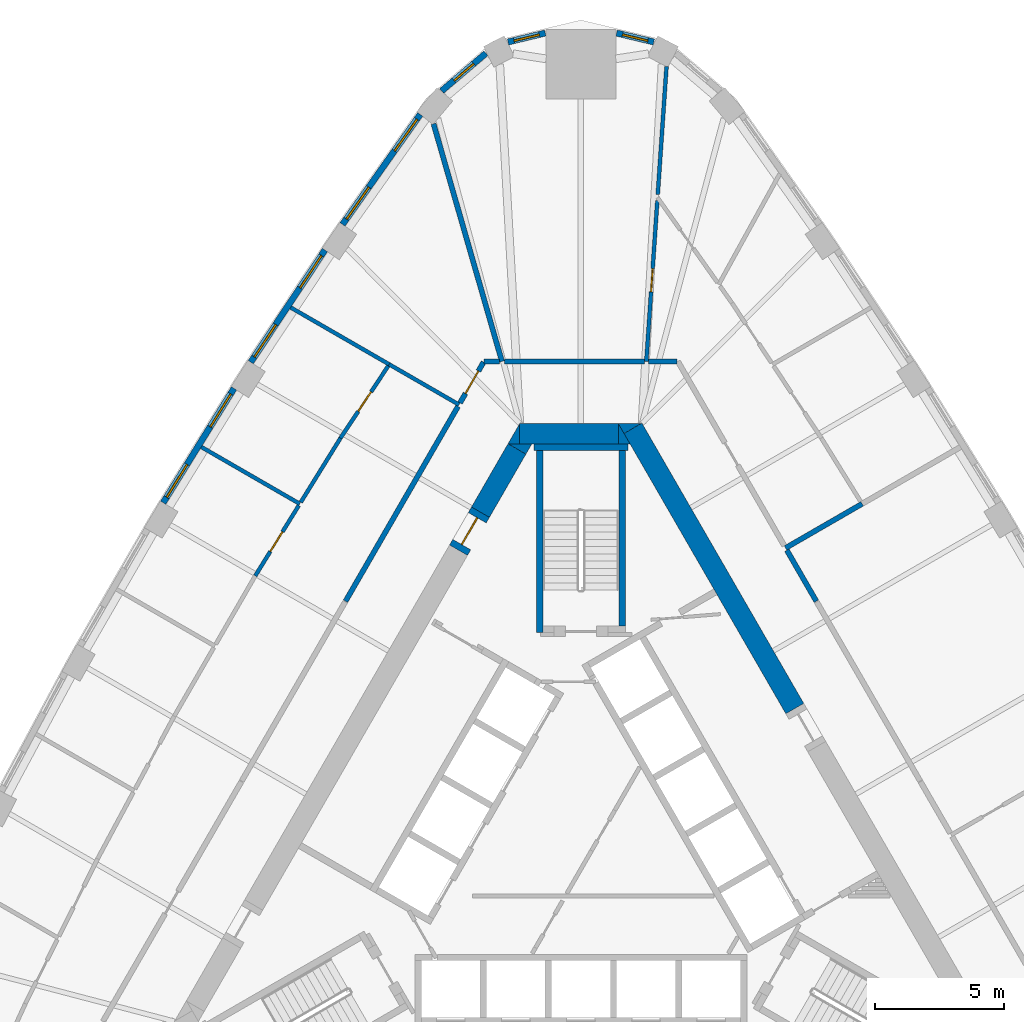
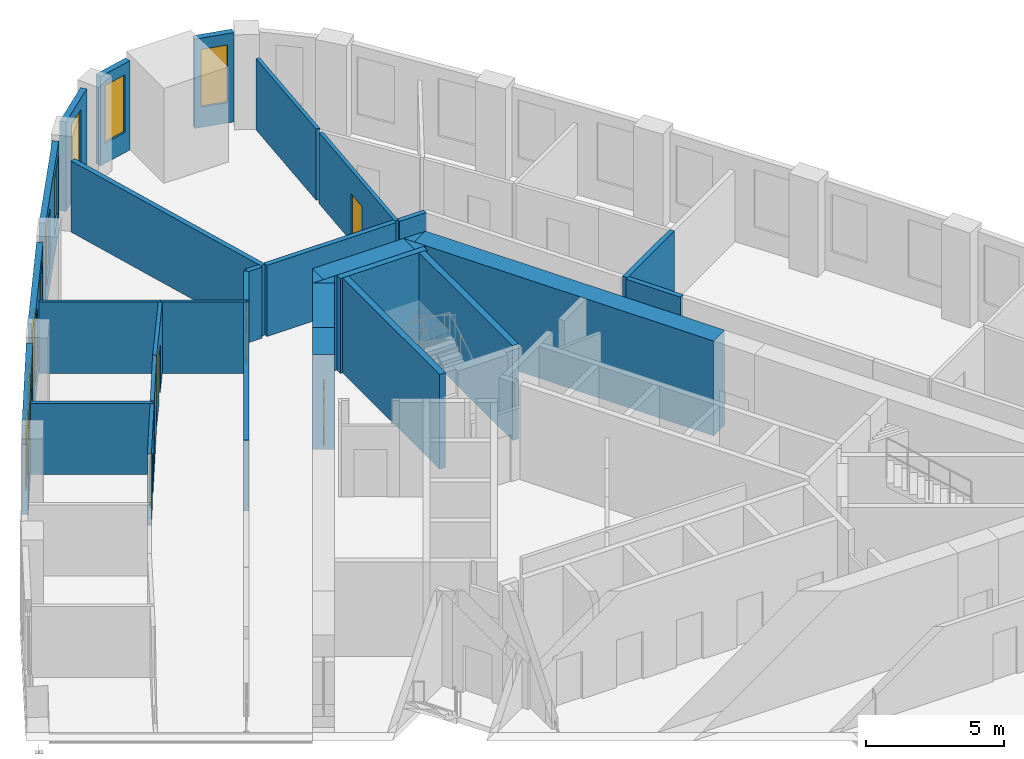
# One storey, part 9 of 11: 33 walls, 9 windows, 5 doors, 14 openings.
"""IFC4 building model written with IfcOpenShell, lengths in metres."""

from ifc_helpers import new_model, si_unit, direction, frame, frame_2d, origin, place, context, subcontext, project, spatial, polyline, rectangle, outline, extrude, material, layer, layer_set, type_object, element, fill, save


model = new_model("IFC4")

# Units and contexts
model_context = context("Model", 3, precision=1e-05, world=origin(), true_north=direction((0.0, 1.0)))
body_context = subcontext(model_context, "Body", "Model", "MODEL_VIEW")
ifc_project = project(units=[si_unit("LENGTHUNIT", "METRE"), si_unit("AREAUNIT", "SQUARE_METRE"), si_unit("VOLUMEUNIT", "CUBIC_METRE"), si_unit("PLANEANGLEUNIT", "RADIAN"), si_unit("MASSUNIT", "GRAM", prefix="KILO")], contexts=[model_context])

# Site, building, storey
site_placement = place(None, origin())
site = spatial("IfcSite", under=ifc_project, at=site_placement, CompositionType="ELEMENT")
building_placement = place(site_placement, origin())
building = spatial("IfcBuilding", under=site, at=building_placement, Name="Mestral Congress Tower", CompositionType="ELEMENT")
storey_placement = place(building_placement, frame((0.0, 0.0, 166.800048828125)))
storey = spatial("IfcBuildingStorey", under=building, at=storey_placement, Name="L39", CompositionType="ELEMENT", Elevation=166.800048828125)

# Walls
ifc_material_1 = material(Name="Concrete C60/75", Category="concrete")
ifc_layer_1 = layer(ifc_material_1, 0.800048828125)
ifc_layer_set_1 = layer_set([ifc_layer_1], Name="Concrete C60/75")
wall_type_1 = type_object("IfcWallType", Name="Core wall RC 800", PredefinedType="SOLIDWALL", material=ifc_layer_set_1)
wall_1_placement = place(storey_placement, frame((8.278564453125, 5.76123046875, 0.0), z_axis=(0.0, 0.0, 1.0), x_axis=(-0.500010359015, 0.866019422922, 0.0)))
element("IfcWall", 1, at=wall_1_placement, inside=storey, type_object=wall_type_1, Name="L39 core wall", PredefinedType="SOLIDWALL", context=body_context, shape_type="SweptSolid", body=[
    extrude(rectangle(XDim=12.527587890625, YDim=0.800048828125, at=frame_2d((6.263671875, 0.0))), origin(), (0.0, 0.0, 1.0), 4.199951171875),
])
placement = place(storey_placement, origin())
element("IfcWall", 2, at=placement, inside=storey, type_object=wall_type_1, Name="L39 core wall", PredefinedType="SOLIDWALL", context=body_context, shape_type="SweptSolid", body=[
    extrude(outline(polyline([(1.443359375, 16.800048828125), (2.33935546875, 16.800048828125), (1.667236328125, 16.412109375), (1.443359375, 16.800048828125)])), origin(), (0.0, 0.0, 1.0), 4.199951171875),
])
wall_3_placement = place(storey_placement, frame((-2.37890625, 16.39990234375, 0.0), z_axis=(0.0, 0.0, 1.0), x_axis=(1.0, 0.0, 0.0)))
element("IfcWall", 3, at=wall_3_placement, inside=storey, type_object=wall_type_1, Name="L39 core wall", PredefinedType="SOLIDWALL", context=body_context, shape_type="SweptSolid", body=[
    extrude(rectangle(XDim=3.82421875, YDim=0.800048828125, at=frame_2d((1.912109375, 0.0))), origin(), (0.0, 0.0, 1.0), 4.199951171875),
])
element("IfcWall", 4, at=placement, inside=storey, type_object=wall_type_1, Name="L39 core wall", PredefinedType="SOLIDWALL", context=body_context, shape_type="SweptSolid", body=[
    extrude(outline(polyline([(1.9052734375, 16.0), (1.447265625, 16.0), (1.447265625, 16.793212890625), (1.9052734375, 16.0)])), origin(), (0.0, 0.0, 1.0), 4.199951171875),
])
element("IfcWall", 5, at=placement, inside=storey, type_object=wall_type_1, Name="L39 core wall", PredefinedType="SOLIDWALL", context=body_context, shape_type="SweptSolid", body=[
    extrude(outline(polyline([(-2.8291015625, 16.0), (-2.381103515625, 16.77587890625), (-2.381103515625, 16.0), (-2.8291015625, 16.0)])), origin(), (0.0, 0.0, 1.0), 4.199951171875),
])
wall_6_placement = place(storey_placement, frame((-2.476806640625, 15.810302734375, 0.0), z_axis=(0.0, 0.0, 1.0), x_axis=(-0.499969377405, -0.866043083026, 0.0)))
element("IfcWall", 6, at=wall_6_placement, inside=storey, type_object=wall_type_1, Name="L39 core wall", PredefinedType="SOLIDWALL", context=body_context, shape_type="SweptSolid", body=[
    extrude(rectangle(XDim=2.824462890625, YDim=0.800048828125, at=frame_2d((1.412109375, 0.0))), origin(), (0.0, 0.0, 1.0), 4.199951171875),
])
element("IfcWall", 7, at=placement, inside=storey, type_object=wall_type_1, Name="L39 core wall", PredefinedType="SOLIDWALL", context=body_context, shape_type="SweptSolid", body=[
    extrude(outline(polyline([(-1.9052734375, 16.0), (-2.12939453125, 15.612060546875), (-2.80126953125, 16.0), (-1.9052734375, 16.0)])), origin(), (0.0, 0.0, 1.0), 4.199951171875),
])

# Wall, opening, door
wall_8_placement = place(storey_placement, frame((-4.739013671875, 11.89208984375, 0.0), z_axis=(0.0, 0.0, 1.0), x_axis=(0.500062241894, 0.865989465428, 0.0)))
wall_8 = element("IfcWall", 8, at=wall_8_placement, inside=storey, type_object=wall_type_1, Name="L39 door wall", PredefinedType="SOLIDWALL", context=body_context, shape_type="SweptSolid", body=[
    extrude(rectangle(XDim=1.699951171875, YDim=0.800048828125, at=frame_2d((0.85009765625, 0.0))), origin(), (0.0, 0.0, 1.0), 4.199951171875),
])
opening_1_placement = place(wall_8_placement, frame((0.25, 0.0, 0.0)))
opening_1 = element("IfcOpeningElement", 9, at=opening_1_placement, cuts=wall_8, Name="Opening XD2", PredefinedType="OPENING", context=body_context, shape_type="SweptSolid", body=[
    extrude(rectangle(XDim=1.199951171875, YDim=2.10009765625, at=frame_2d((0.60009765625, 1.050048828125))), frame((0.0, 0.409912109375, 0.0), z_axis=(0.0, -1.0, 0.0), x_axis=(1.0, 0.0, 0.0)), (0.0, 0.0, 1.0), 0.820068359375),
])
ifc_material_2 = material(Name="Fire-rated steel door set", Category="steel")
door_type_1 = type_object("IfcDoorType", Name="Core door XD 1200x2100", OperationType="SINGLE_SWING_LEFT", PredefinedType="DOOR", material=ifc_material_2)
door_1_placement = place(opening_1_placement, origin())
door_1 = element("IfcDoor", 10, at=door_1_placement, inside=storey, type_object=door_type_1, Name="Door XD2", OperationType="SINGLE_SWING_LEFT", OverallHeight=2.10009765625, OverallWidth=1.199951171875, PredefinedType="DOOR", context=body_context, shape_type="SweptSolid", body=[
    extrude(rectangle(XDim=1.199951171875, YDim=2.10009765625, at=frame_2d((0.60009765625, 1.050048828125))), frame((0.0, 0.02490234375, 0.0), z_axis=(0.0, -1.0, 0.0), x_axis=(1.0, 0.0, 0.0)), (0.0, 0.0, 1.0), 0.050048828125),
])
fill(opening_1, door_1)

# Wall, opening, window
ifc_material_3 = material(Name="Precast concrete C40/50 with limestone facing", Category="masonry")
ifc_layer_2 = layer(ifc_material_3, 0.239990234375)
ifc_layer_set_2 = layer_set([ifc_layer_2], Name="Precast concrete C40/50 with limestone facing")
wall_type_2 = type_object("IfcWallType", Name="Facade stone wall 240", PredefinedType="SOLIDWALL", material=ifc_layer_set_2)
wall_9_placement = place(storey_placement, frame((2.821044921875, 31.56640625, 0.0), z_axis=(0.0, 0.0, 1.0), x_axis=(-0.972479955788, 0.232986556673, 0.0)))
wall_9 = element("IfcWall", 11, at=wall_9_placement, inside=storey, type_object=wall_type_2, Name="Facade wall K1-1", PredefinedType="SOLIDWALL", context=body_context, shape_type="SweptSolid", body=[
    extrude(rectangle(XDim=1.481689453125, YDim=0.239990234375, at=frame_2d((0.74072265625, 0.0))), origin(), (0.0, 0.0, 1.0), 3.949951171875),
])
opening_2_placement = place(wall_9_placement, frame((0.24072265625, 0.0, 0.89990234375)))
opening_2 = element("IfcOpeningElement", 12, at=opening_2_placement, cuts=wall_9, Name="Opening W5", PredefinedType="OPENING", context=body_context, shape_type="SweptSolid", body=[
    extrude(rectangle(XDim=1.0, YDim=2.550048828125, at=frame_2d((0.5, 1.27490234375))), frame((0.0, 0.1298828125, 0.0), z_axis=(0.0, -1.0, 0.0), x_axis=(1.0, 0.0, 0.0)), (0.0, 0.0, 1.0), 0.260009765625),
])
ifc_material_4 = material(Name="Clear low-emissivity double glazing", Category="glass")
window_type_1 = type_object("IfcWindowType", Name="Facade punched window 1000 x 2550 sill 900", PartitioningType="SINGLE_PANEL", PredefinedType="WINDOW", material=ifc_material_4)
window_1_placement = place(opening_2_placement, origin())
window_1 = element("IfcWindow", 13, at=window_1_placement, inside=storey, type_object=window_type_1, Name="Window K1-1", OverallHeight=2.550048828125, OverallWidth=1.0, PartitioningType="SINGLE_PANEL", PredefinedType="WINDOW", context=body_context, shape_type="SweptSolid", body=[
    extrude(rectangle(XDim=1.0, YDim=2.550048828125, at=frame_2d((0.5, 1.27490234375))), frame((0.0, 0.0400390625, 0.0), z_axis=(0.0, -1.0, 0.0), x_axis=(1.0, 0.0, 0.0)), (0.0, 0.0, 1.0), 0.06005859375),
])
fill(opening_2, window_1)

wall_10_placement = place(storey_placement, frame((-1.380126953125, 31.91162109375, 0.0), z_axis=(0.0, 0.0, 1.0), x_axis=(-0.972479955788, -0.232986556673, 0.0)))
wall_10 = element("IfcWall", 14, at=wall_10_placement, inside=storey, type_object=wall_type_2, Name="Facade wall K1-2", PredefinedType="SOLIDWALL", context=body_context, shape_type="SweptSolid", body=[
    extrude(rectangle(XDim=1.481689453125, YDim=0.239990234375, at=frame_2d((0.74072265625, 0.0))), origin(), (0.0, 0.0, 1.0), 3.949951171875),
])
opening_3_placement = place(wall_10_placement, frame((0.24072265625, 0.0, 0.89990234375)))
opening_3 = element("IfcOpeningElement", 15, at=opening_3_placement, cuts=wall_10, Name="Opening W5", PredefinedType="OPENING", context=body_context, shape_type="SweptSolid", body=[
    extrude(rectangle(XDim=1.0, YDim=2.550048828125, at=frame_2d((0.5, 1.27490234375))), frame((0.0, 0.1298828125, 0.0), z_axis=(0.0, -1.0, 0.0), x_axis=(1.0, 0.0, 0.0)), (0.0, 0.0, 1.0), 0.260009765625),
])
window_2_placement = place(opening_3_placement, origin())
window_2 = element("IfcWindow", 16, at=window_2_placement, inside=storey, type_object=window_type_1, Name="Window K1-2", OverallHeight=2.550048828125, OverallWidth=1.0, PartitioningType="SINGLE_PANEL", PredefinedType="WINDOW", context=body_context, shape_type="SweptSolid", body=[
    extrude(rectangle(XDim=1.0, YDim=2.550048828125, at=frame_2d((0.5, 1.27490234375))), frame((0.0, 0.0400390625, 0.0), z_axis=(0.0, -1.0, 0.0), x_axis=(1.0, 0.0, 0.0)), (0.0, 0.0, 1.0), 0.06005859375),
])
fill(opening_3, window_2)

wall_11_placement = place(storey_placement, frame((-3.67822265625, 31.130859375, 0.0), z_axis=(0.0, 0.0, 1.0), x_axis=(-0.761419744247, -0.648259186645, 0.0)))
wall_11 = element("IfcWall", 17, at=wall_11_placement, inside=storey, type_object=wall_type_2, Name="Facade wall K1-3", PredefinedType="SOLIDWALL", context=body_context, shape_type="SweptSolid", body=[
    extrude(rectangle(XDim=2.250244140625, YDim=0.239990234375, at=frame_2d((1.125, 0.0))), origin(), (0.0, 0.0, 1.0), 3.949951171875),
])
opening_4_placement = place(wall_11_placement, frame((0.625244140625, 0.0, 0.89990234375)))
opening_4 = element("IfcOpeningElement", 18, at=opening_4_placement, cuts=wall_11, Name="Opening W5", PredefinedType="OPENING", context=body_context, shape_type="SweptSolid", body=[
    extrude(rectangle(XDim=1.0, YDim=2.550048828125, at=frame_2d((0.5, 1.27490234375))), frame((0.0, 0.1298828125, 0.0), z_axis=(0.0, -1.0, 0.0), x_axis=(1.0, 0.0, 0.0)), (0.0, 0.0, 1.0), 0.260009765625),
])
window_3_placement = place(opening_4_placement, origin())
window_3 = element("IfcWindow", 19, at=window_3_placement, inside=storey, type_object=window_type_1, Name="Window K1-3", OverallHeight=2.550048828125, OverallWidth=1.0, PartitioningType="SINGLE_PANEL", PredefinedType="WINDOW", context=body_context, shape_type="SweptSolid", body=[
    extrude(rectangle(XDim=1.0, YDim=2.550048828125, at=frame_2d((0.5, 1.27490234375))), frame((0.0, 0.0400390625, 0.0), z_axis=(0.0, -1.0, 0.0), x_axis=(1.0, 0.0, 0.0)), (0.0, 0.0, 1.0), 0.06005859375),
])
fill(opening_4, window_3)

# Wall, openings, windows
wall_12_placement = place(storey_placement, frame((-6.22265625, 28.76171875, 0.0), z_axis=(0.0, 0.0, 1.0), x_axis=(-0.577115207679, -0.816662743772, 0.0)))
wall_12 = element("IfcWall", 20, at=wall_12_placement, inside=storey, type_object=wall_type_2, Name="Facade wall F2-00", PredefinedType="SOLIDWALL", context=body_context, shape_type="SweptSolid", body=[
    extrude(rectangle(XDim=5.213134765625, YDim=0.239990234375, at=frame_2d((2.6064453125, 0.0))), origin(), (0.0, 0.0, 1.0), 3.949951171875),
])
opening_5_placement = place(wall_12_placement, frame((0.220703125, 0.0, 0.89990234375)))
opening_5 = element("IfcOpeningElement", 21, at=opening_5_placement, cuts=wall_12, Name="Opening W4", PredefinedType="OPENING", context=body_context, shape_type="SweptSolid", body=[
    extrude(rectangle(XDim=1.5, YDim=2.550048828125, at=frame_2d((0.75, 1.27490234375))), frame((0.0, 0.1298828125, 0.0), z_axis=(0.0, -1.0, 0.0), x_axis=(1.0, 0.0, 0.0)), (0.0, 0.0, 1.0), 0.260009765625),
])
opening_6_placement = place(wall_12_placement, frame((3.452392578125, 0.0, 0.89990234375)))
opening_6 = element("IfcOpeningElement", 22, at=opening_6_placement, cuts=wall_12, Name="Opening W4", PredefinedType="OPENING", context=body_context, shape_type="SweptSolid", body=[
    extrude(rectangle(XDim=1.5, YDim=2.550048828125, at=frame_2d((0.75, 1.27490234375))), frame((0.0, 0.1298828125, 0.0), z_axis=(0.0, -1.0, 0.0), x_axis=(1.0, 0.0, 0.0)), (0.0, 0.0, 1.0), 0.260009765625),
])
window_type_2 = type_object("IfcWindowType", Name="Facade punched window 1500 x 2550 sill 900", PartitioningType="SINGLE_PANEL", PredefinedType="WINDOW", material=ifc_material_4)
window_4_placement = place(opening_5_placement, origin())
window_4 = element("IfcWindow", 23, at=window_4_placement, inside=storey, type_object=window_type_2, Name="Window F2-00a", OverallHeight=2.550048828125, OverallWidth=1.5, PartitioningType="SINGLE_PANEL", PredefinedType="WINDOW", context=body_context, shape_type="SweptSolid", body=[
    extrude(rectangle(XDim=1.5, YDim=2.550048828125, at=frame_2d((0.75, 1.27490234375))), frame((0.0, 0.0400390625, 0.0), z_axis=(0.0, -1.0, 0.0), x_axis=(1.0, 0.0, 0.0)), (0.0, 0.0, 1.0), 0.06005859375),
])
fill(opening_5, window_4)
window_5_placement = place(opening_6_placement, origin())
window_5 = element("IfcWindow", 24, at=window_5_placement, inside=storey, type_object=window_type_2, Name="Window F2-00b", OverallHeight=2.550048828125, OverallWidth=1.5, PartitioningType="SINGLE_PANEL", PredefinedType="WINDOW", context=body_context, shape_type="SweptSolid", body=[
    extrude(rectangle(XDim=1.5, YDim=2.550048828125, at=frame_2d((0.75, 1.27490234375))), frame((0.0, 0.0400390625, 0.0), z_axis=(0.0, -1.0, 0.0), x_axis=(1.0, 0.0, 0.0)), (0.0, 0.0, 1.0), 0.06005859375),
])
fill(opening_6, window_5)

wall_13_placement = place(storey_placement, frame((-9.911376953125, 23.510009765625, 0.0), z_axis=(0.0, 0.0, 1.0), x_axis=(-0.551892811511, -0.833915058386, 0.0)))
wall_13 = element("IfcWall", 25, at=wall_13_placement, inside=storey, type_object=wall_type_2, Name="Facade wall F2-01", PredefinedType="SOLIDWALL", context=body_context, shape_type="SweptSolid", body=[
    extrude(rectangle(XDim=5.20361328125, YDim=0.239990234375, at=frame_2d((2.601806640625, 0.0))), origin(), (0.0, 0.0, 1.0), 3.949951171875),
])
opening_7_placement = place(wall_13_placement, frame((0.248291015625, 0.0, 0.89990234375)))
opening_7 = element("IfcOpeningElement", 26, at=opening_7_placement, cuts=wall_13, Name="Opening W4", PredefinedType="OPENING", context=body_context, shape_type="SweptSolid", body=[
    extrude(rectangle(XDim=1.5, YDim=2.550048828125, at=frame_2d((0.75, 1.27490234375))), frame((0.0, 0.1298828125, 0.0), z_axis=(0.0, -1.0, 0.0), x_axis=(1.0, 0.0, 0.0)), (0.0, 0.0, 1.0), 0.260009765625),
])
opening_8_placement = place(wall_13_placement, frame((3.455078125, 0.0, 0.89990234375)))
opening_8 = element("IfcOpeningElement", 27, at=opening_8_placement, cuts=wall_13, Name="Opening W4", PredefinedType="OPENING", context=body_context, shape_type="SweptSolid", body=[
    extrude(rectangle(XDim=1.5, YDim=2.550048828125, at=frame_2d((0.75, 1.27490234375))), frame((0.0, 0.1298828125, 0.0), z_axis=(0.0, -1.0, 0.0), x_axis=(1.0, 0.0, 0.0)), (0.0, 0.0, 1.0), 0.260009765625),
])
window_6_placement = place(opening_7_placement, origin())
window_6 = element("IfcWindow", 28, at=window_6_placement, inside=storey, type_object=window_type_2, Name="Window F2-01a", OverallHeight=2.550048828125, OverallWidth=1.5, PartitioningType="SINGLE_PANEL", PredefinedType="WINDOW", context=body_context, shape_type="SweptSolid", body=[
    extrude(rectangle(XDim=1.5, YDim=2.550048828125, at=frame_2d((0.75, 1.27490234375))), frame((0.0, 0.0400390625, 0.0), z_axis=(0.0, -1.0, 0.0), x_axis=(1.0, 0.0, 0.0)), (0.0, 0.0, 1.0), 0.06005859375),
])
fill(opening_7, window_6)
window_7_placement = place(opening_8_placement, origin())
window_7 = element("IfcWindow", 29, at=window_7_placement, inside=storey, type_object=window_type_2, Name="Window F2-01b", OverallHeight=2.550048828125, OverallWidth=1.5, PartitioningType="SINGLE_PANEL", PredefinedType="WINDOW", context=body_context, shape_type="SweptSolid", body=[
    extrude(rectangle(XDim=1.5, YDim=2.550048828125, at=frame_2d((0.75, 1.27490234375))), frame((0.0, 0.0400390625, 0.0), z_axis=(0.0, -1.0, 0.0), x_axis=(1.0, 0.0, 0.0)), (0.0, 0.0, 1.0), 0.06005859375),
])
fill(opening_8, window_7)

wall_14_placement = place(storey_placement, frame((-13.4326171875, 18.156005859375, 0.0), z_axis=(0.0, 0.0, 1.0), x_axis=(-0.526197926587, -0.850362124072, 0.0)))
wall_14 = element("IfcWall", 30, at=wall_14_placement, inside=storey, type_object=wall_type_2, Name="Facade wall F2-02", PredefinedType="SOLIDWALL", context=body_context, shape_type="SweptSolid", body=[
    extrude(rectangle(XDim=5.203369140625, YDim=0.239990234375, at=frame_2d((2.6015625, 0.0))), origin(), (0.0, 0.0, 1.0), 3.949951171875),
])
opening_9_placement = place(wall_14_placement, frame((0.248291015625, 0.0, 0.89990234375)))
opening_9 = element("IfcOpeningElement", 31, at=opening_9_placement, cuts=wall_14, Name="Opening W4", PredefinedType="OPENING", context=body_context, shape_type="SweptSolid", body=[
    extrude(rectangle(XDim=1.5, YDim=2.550048828125, at=frame_2d((0.75, 1.27490234375))), frame((0.0, 0.1298828125, 0.0), z_axis=(0.0, -1.0, 0.0), x_axis=(1.0, 0.0, 0.0)), (0.0, 0.0, 1.0), 0.260009765625),
])
opening_10_placement = place(wall_14_placement, frame((3.455078125, 0.0, 0.89990234375)))
opening_10 = element("IfcOpeningElement", 32, at=opening_10_placement, cuts=wall_14, Name="Opening W4", PredefinedType="OPENING", context=body_context, shape_type="SweptSolid", body=[
    extrude(rectangle(XDim=1.5, YDim=2.550048828125, at=frame_2d((0.75, 1.27490234375))), frame((0.0, 0.1298828125, 0.0), z_axis=(0.0, -1.0, 0.0), x_axis=(1.0, 0.0, 0.0)), (0.0, 0.0, 1.0), 0.260009765625),
])
window_8_placement = place(opening_9_placement, origin())
window_8 = element("IfcWindow", 33, at=window_8_placement, inside=storey, type_object=window_type_2, Name="Window F2-02a", OverallHeight=2.550048828125, OverallWidth=1.5, PartitioningType="SINGLE_PANEL", PredefinedType="WINDOW", context=body_context, shape_type="SweptSolid", body=[
    extrude(rectangle(XDim=1.5, YDim=2.550048828125, at=frame_2d((0.75, 1.27490234375))), frame((0.0, 0.0400390625, 0.0), z_axis=(0.0, -1.0, 0.0), x_axis=(1.0, 0.0, 0.0)), (0.0, 0.0, 1.0), 0.06005859375),
])
fill(opening_9, window_8)
window_9_placement = place(opening_10_placement, origin())
window_9 = element("IfcWindow", 34, at=window_9_placement, inside=storey, type_object=window_type_2, Name="Window F2-02b", OverallHeight=2.550048828125, OverallWidth=1.5, PartitioningType="SINGLE_PANEL", PredefinedType="WINDOW", context=body_context, shape_type="SweptSolid", body=[
    extrude(rectangle(XDim=1.5, YDim=2.550048828125, at=frame_2d((0.75, 1.27490234375))), frame((0.0, 0.0400390625, 0.0), z_axis=(0.0, -1.0, 0.0), x_axis=(1.0, 0.0, 0.0)), (0.0, 0.0, 1.0), 0.06005859375),
])
fill(opening_10, window_9)

# Wall
ifc_material_5 = material(Name="Plasterboard partition on steel studs", Category="steel")
ifc_layer_3 = layer(ifc_material_5, 0.14990234375)
ifc_layer_set_3 = layer_set([ifc_layer_3], Name="Plasterboard partition on steel studs")
wall_type_3 = type_object("IfcWallType", Name="Office partition 150", PredefinedType="PARTITIONING", material=ifc_layer_set_3)
wall_15_placement = place(storey_placement, frame((2.9736328125, 25.6572265625, 0.0), z_axis=(0.0, 0.0, 1.0), x_axis=(0.068301586051, 0.997664719905, 0.0)))
element("IfcWall", 35, at=wall_15_placement, inside=storey, type_object=wall_type_3, Name="Partition", PredefinedType="PARTITIONING", context=body_context, shape_type="SweptSolid", body=[
    extrude(rectangle(XDim=4.97216796875, YDim=0.14990234375, at=frame_2d((2.486083984375, 0.0))), origin(), (0.0, 0.0, 1.0), 3.14990234375),
])

# Wall, opening, door
wall_16_placement = place(storey_placement, frame((2.531494140625, 19.199951171875, 0.0), z_axis=(0.0, 0.0, 1.0), x_axis=(0.06832771358, 0.997662930832, 0.0)))
wall_16 = element("IfcWall", 36, at=wall_16_placement, inside=storey, type_object=wall_type_3, Name="Partition", PredefinedType="PARTITIONING", context=body_context, shape_type="SweptSolid", body=[
    extrude(rectangle(XDim=6.235107421875, YDim=0.14990234375, at=frame_2d((3.11767578125, 0.0))), origin(), (0.0, 0.0, 1.0), 3.14990234375),
])
opening_11_placement = place(wall_16_placement, frame((2.699951171875, 0.0, 0.0)))
opening_11 = element("IfcOpeningElement", 37, at=opening_11_placement, cuts=wall_16, Name="Opening O03-013", PredefinedType="OPENING", context=body_context, shape_type="SweptSolid", body=[
    extrude(rectangle(XDim=0.89990234375, YDim=2.10009765625, at=frame_2d((0.449951171875, 1.050048828125))), frame((0.0, 0.0849609375, 0.0), z_axis=(0.0, -1.0, 0.0), x_axis=(1.0, 0.0, 0.0)), (0.0, 0.0, 1.0), 0.169921875),
])
ifc_material_6 = material(Name="Timber door set", Category="wood")
door_type_2 = type_object("IfcDoorType", Name="Office door 900x2100", OperationType="SINGLE_SWING_LEFT", PredefinedType="DOOR", material=ifc_material_6)
door_2_placement = place(opening_11_placement, origin())
door_2 = element("IfcDoor", 38, at=door_2_placement, inside=storey, type_object=door_type_2, Name="Door O03-013", OperationType="SINGLE_SWING_RIGHT", OverallHeight=2.10009765625, OverallWidth=0.89990234375, PredefinedType="DOOR", context=body_context, shape_type="SweptSolid", body=[
    extrude(rectangle(XDim=0.89990234375, YDim=2.10009765625, at=frame_2d((0.449951171875, 1.050048828125))), frame((0.0, 0.02490234375, 0.0), z_axis=(0.0, -1.0, 0.0), x_axis=(1.0, 0.0, 0.0)), (0.0, 0.0, 1.0), 0.050048828125),
])
fill(opening_11, door_2)

# Walls
wall_17_placement = place(storey_placement, frame((-7.416259765625, 19.082763671875, 0.0), z_axis=(0.0, 0.0, 1.0), x_axis=(-0.866028016946, 0.499995473844, 0.0)))
element("IfcWall", 39, at=wall_17_placement, inside=storey, type_object=wall_type_3, Name="Partition", PredefinedType="PARTITIONING", context=body_context, shape_type="SweptSolid", body=[
    extrude(rectangle(XDim=4.412109375, YDim=0.14990234375, at=frame_2d((2.2060546875, 0.0))), origin(), (0.0, 0.0, 1.0), 3.14990234375),
])
wall_18_placement = place(storey_placement, frame((-4.719482421875, 17.525634765625, 0.0), z_axis=(0.0, 0.0, 1.0), x_axis=(-0.866011075544, 0.500024816419, 0.0)))
element("IfcWall", 40, at=wall_18_placement, inside=storey, type_object=wall_type_3, Name="Partition", PredefinedType="PARTITIONING", context=body_context, shape_type="SweptSolid", body=[
    extrude(rectangle(XDim=3.121826171875, YDim=0.14990234375, at=frame_2d((1.56103515625, 0.0))), origin(), (0.0, 0.0, 1.0), 3.14990234375),
])
wall_19_placement = place(storey_placement, frame((-10.882568359375, 13.68701171875, 0.0), z_axis=(0.0, 0.0, 1.0), x_axis=(-0.866033195618, 0.499986503906, 0.0)))
element("IfcWall", 41, at=wall_19_placement, inside=storey, type_object=wall_type_3, Name="Partition", PredefinedType="PARTITIONING", context=body_context, shape_type="SweptSolid", body=[
    extrude(rectangle(XDim=4.40185546875, YDim=0.14990234375, at=frame_2d((2.200927734375, 0.0))), origin(), (0.0, 0.0, 1.0), 3.14990234375),
])

# Wall, opening, door
wall_20_placement = place(storey_placement, frame((-9.308349609375, 16.231201171875, 0.0), z_axis=(0.0, 0.0, 1.0), x_axis=(0.551902709159, 0.833908507945, 0.0)))
wall_20 = element("IfcWall", 42, at=wall_20_placement, inside=storey, type_object=wall_type_3, Name="Partition", PredefinedType="PARTITIONING", context=body_context, shape_type="SweptSolid", body=[
    extrude(rectangle(XDim=3.346923828125, YDim=0.14990234375, at=frame_2d((1.67333984375, 0.0))), origin(), (0.0, 0.0, 1.0), 3.14990234375),
])
opening_12_placement = place(wall_20_placement, frame((1.24658203125, 0.0, 0.0)))
opening_12 = element("IfcOpeningElement", 43, at=opening_12_placement, cuts=wall_20, Name="Opening O03-015", PredefinedType="OPENING", context=body_context, shape_type="SweptSolid", body=[
    extrude(rectangle(XDim=0.89990234375, YDim=2.10009765625, at=frame_2d((0.449951171875, 1.050048828125))), frame((0.0, 0.0849609375, 0.0), z_axis=(0.0, -1.0, 0.0), x_axis=(1.0, 0.0, 0.0)), (0.0, 0.0, 1.0), 0.169921875),
])
door_3_placement = place(opening_12_placement, origin())
door_3 = element("IfcDoor", 44, at=door_3_placement, inside=storey, type_object=door_type_2, Name="Door O03-015", OperationType="SINGLE_SWING_RIGHT", OverallHeight=2.10009765625, OverallWidth=0.89990234375, PredefinedType="DOOR", context=body_context, shape_type="SweptSolid", body=[
    extrude(rectangle(XDim=0.89990234375, YDim=2.10009765625, at=frame_2d((0.449951171875, 1.050048828125))), frame((0.0, 0.02490234375, 0.0), z_axis=(0.0, -1.0, 0.0), x_axis=(1.0, 0.0, 0.0)), (0.0, 0.0, 1.0), 0.050048828125),
])
fill(opening_12, door_3)

# Wall
wall_21_placement = place(storey_placement, frame((-9.308349609375, 16.231201171875, 0.0), z_axis=(0.0, 0.0, 1.0), x_axis=(-0.526201893736, -0.850359669216, 0.0)))
element("IfcWall", 45, at=wall_21_placement, inside=storey, type_object=wall_type_3, Name="Partition", PredefinedType="PARTITIONING", context=body_context, shape_type="SweptSolid", body=[
    extrude(rectangle(XDim=2.9169921875, YDim=0.14990234375, at=frame_2d((1.45849609375, 0.0))), origin(), (0.0, 0.0, 1.0), 3.14990234375),
])

# Wall, opening, door
wall_22_placement = place(storey_placement, frame((-12.607666015625, 10.899169921875, 0.0), z_axis=(0.0, 0.0, 1.0), x_axis=(0.526170942761, 0.850378820876, 0.0)))
wall_22 = element("IfcWall", 46, at=wall_22_placement, inside=storey, type_object=wall_type_3, Name="Partition", PredefinedType="PARTITIONING", context=body_context, shape_type="SweptSolid", body=[
    extrude(rectangle(XDim=3.203369140625, YDim=0.14990234375, at=frame_2d((1.6015625, 0.0))), origin(), (0.0, 0.0, 1.0), 3.14990234375),
])
opening_13_placement = place(wall_22_placement, frame((1.103271484375, 0.0, 0.0)))
opening_13 = element("IfcOpeningElement", 47, at=opening_13_placement, cuts=wall_22, Name="Opening O03-016", PredefinedType="OPENING", context=body_context, shape_type="SweptSolid", body=[
    extrude(rectangle(XDim=0.89990234375, YDim=2.10009765625, at=frame_2d((0.449951171875, 1.050048828125))), frame((0.0, 0.0849609375, 0.0), z_axis=(0.0, -1.0, 0.0), x_axis=(1.0, 0.0, 0.0)), (0.0, 0.0, 1.0), 0.169921875),
])
door_4_placement = place(opening_13_placement, origin())
door_4 = element("IfcDoor", 48, at=door_4_placement, inside=storey, type_object=door_type_2, Name="Door O03-016", OperationType="SINGLE_SWING_LEFT", OverallHeight=2.10009765625, OverallWidth=0.89990234375, PredefinedType="DOOR", context=body_context, shape_type="SweptSolid", body=[
    extrude(rectangle(XDim=0.89990234375, YDim=2.10009765625, at=frame_2d((0.449951171875, 1.050048828125))), frame((0.0, 0.02490234375, 0.0), z_axis=(0.0, -1.0, 0.0), x_axis=(1.0, 0.0, 0.0)), (0.0, 0.0, 1.0), 0.050048828125),
])
fill(opening_13, door_4)

# Walls
ifc_material_7 = material(Name="Dense masonry wall, plastered", Category="masonry")
ifc_layer_4 = layer(ifc_material_7, 0.199951171875)
ifc_layer_set_4 = layer_set([ifc_layer_4], Name="Dense masonry wall, plastered")
wall_type_4 = type_object("IfcWallType", Name="Office tenancy wall 200", PredefinedType="PARTITIONING", material=ifc_layer_set_4)
wall_23_placement = place(storey_placement, frame((7.92236328125, 11.977783203125, 0.0), z_axis=(0.0, 0.0, 1.0), x_axis=(0.866008564848, 0.50002916476, 0.0)))
element("IfcWall", 49, at=wall_23_placement, inside=storey, type_object=wall_type_4, Name="Tenancy wall", PredefinedType="PARTITIONING", context=body_context, shape_type="SweptSolid", body=[
    extrude(rectangle(XDim=3.422119140625, YDim=0.199951171875, at=frame_2d((1.7109375, 0.0))), origin(), (0.0, 0.0, 1.0), 3.14990234375),
])
wall_24_placement = place(storey_placement, frame((9.111328125, 9.91845703125, 0.0), z_axis=(0.0, 0.0, 1.0), x_axis=(-0.499954382462, 0.86605173948, 0.0)))
element("IfcWall", 50, at=wall_24_placement, inside=storey, type_object=wall_type_4, Name="Tenancy wall", PredefinedType="PARTITIONING", context=body_context, shape_type="SweptSolid", body=[
    extrude(rectangle(XDim=2.278076171875, YDim=0.199951171875, at=frame_2d((1.13916015625, 0.0))), origin(), (0.0, 0.0, 1.0), 3.14990234375),
])
wall_25_placement = place(storey_placement, frame((3.722900390625, 19.199951171875, 0.0), z_axis=(0.0, 0.0, 1.0), x_axis=(-1.0, 0.0, 0.0)))
element("IfcWall", 51, at=wall_25_placement, inside=storey, type_object=wall_type_4, Name="Tenancy wall", PredefinedType="PARTITIONING", context=body_context, shape_type="SweptSolid", body=[
    extrude(rectangle(XDim=1.1162109375, YDim=0.199951171875, at=frame_2d((0.55810546875, 0.0))), origin(), (0.0, 0.0, 1.0), 3.14990234375),
])
wall_26_placement = place(storey_placement, frame((-3.057861328125, 19.199951171875, 0.0), z_axis=(0.0, 0.0, 1.0), x_axis=(-0.276542988003, 0.961001548275, 0.0)))
element("IfcWall", 52, at=wall_26_placement, inside=storey, type_object=wall_type_4, Name="Tenancy wall", PredefinedType="PARTITIONING", context=body_context, shape_type="SweptSolid", body=[
    extrude(rectangle(XDim=9.572509765625, YDim=0.199951171875, at=frame_2d((4.7861328125, 0.0))), origin(), (0.0, 0.0, 1.0), 3.14990234375),
])
wall_27_placement = place(storey_placement, frame((2.456298828125, 19.199951171875, 0.0), z_axis=(0.0, 0.0, 1.0), x_axis=(-1.0, 0.0, 0.0)))
element("IfcWall", 53, at=wall_27_placement, inside=storey, type_object=wall_type_4, Name="Tenancy wall", PredefinedType="PARTITIONING", context=body_context, shape_type="SweptSolid", body=[
    extrude(rectangle(XDim=5.409912109375, YDim=0.199951171875, at=frame_2d((2.705078125, 0.0))), origin(), (0.0, 0.0, 1.0), 3.14990234375),
])
wall_28_placement = place(storey_placement, frame((-3.161865234375, 19.199951171875, 0.0), z_axis=(0.0, 0.0, 1.0), x_axis=(-1.0, 0.0, 0.0)))
element("IfcWall", 54, at=wall_28_placement, inside=storey, type_object=wall_type_4, Name="Tenancy wall", PredefinedType="PARTITIONING", context=body_context, shape_type="SweptSolid", body=[
    extrude(rectangle(XDim=0.5908203125, YDim=0.199951171875, at=frame_2d((0.29541015625, 0.0))), origin(), (0.0, 0.0, 1.0), 3.14990234375),
])

# Wall, opening, door
wall_29_placement = place(storey_placement, frame((-3.767822265625, 19.174072265625, 0.0), z_axis=(0.0, 0.0, 1.0), x_axis=(-0.499930512259, -0.866065518833, 0.0)))
wall_29 = element("IfcWall", 55, at=wall_29_placement, inside=storey, type_object=wall_type_4, Name="Tenancy wall", PredefinedType="PARTITIONING", context=body_context, shape_type="SweptSolid", body=[
    extrude(rectangle(XDim=1.828369140625, YDim=0.199951171875, at=frame_2d((0.9140625, 0.0))), origin(), (0.0, 0.0, 1.0), 3.14990234375),
])
opening_14_placement = place(wall_29_placement, frame((0.39990234375, 0.0, 0.0)))
opening_14 = element("IfcOpeningElement", 56, at=opening_14_placement, cuts=wall_29, Name="Opening O03-014", PredefinedType="OPENING", context=body_context, shape_type="SweptSolid", body=[
    extrude(rectangle(XDim=1.0, YDim=2.10009765625, at=frame_2d((0.5, 1.050048828125))), frame((0.0, 0.10986328125, 0.0), z_axis=(0.0, -1.0, 0.0), x_axis=(1.0, 0.0, 0.0)), (0.0, 0.0, 1.0), 0.219970703125),
])
ifc_material_8 = material(Name="Fire-rated timber door set", Category="wood")
door_type_3 = type_object("IfcDoorType", Name="Office tenancy entrance door 1000x2100", OperationType="SINGLE_SWING_LEFT", PredefinedType="DOOR", material=ifc_material_8)
door_5_placement = place(opening_14_placement, origin())
door_5 = element("IfcDoor", 57, at=door_5_placement, inside=storey, type_object=door_type_3, Name="Door O03-014", OperationType="SINGLE_SWING_LEFT", OverallHeight=2.10009765625, OverallWidth=1.0, PredefinedType="DOOR", context=body_context, shape_type="SweptSolid", body=[
    extrude(rectangle(XDim=1.0, YDim=2.10009765625, at=frame_2d((0.5, 1.050048828125))), frame((0.0, 0.02490234375, 0.0), z_axis=(0.0, -1.0, 0.0), x_axis=(1.0, 0.0, 0.0)), (0.0, 0.0, 1.0), 0.050048828125),
])
fill(opening_14, door_5)

# Walls
wall_30_placement = place(storey_placement, frame((-4.7568359375, 17.460693359375, 0.0), z_axis=(0.0, 0.0, 1.0), x_axis=(-0.499998278779, -0.866026397529, 0.0)))
element("IfcWall", 58, at=wall_30_placement, inside=storey, type_object=wall_type_4, Name="Tenancy wall", PredefinedType="PARTITIONING", context=body_context, shape_type="SweptSolid", body=[
    extrude(rectangle(XDim=8.708984375, YDim=0.199951171875, at=frame_2d((4.3544921875, 0.0))), origin(), (0.0, 0.0, 1.0), 3.14990234375),
])
ifc_layer_5 = layer(ifc_material_1, 0.25)
ifc_layer_set_5 = layer_set([ifc_layer_5], Name="Concrete C60/75")
wall_type_5 = type_object("IfcWallType", Name="Stair wall RC 250", PredefinedType="SOLIDWALL", material=ifc_layer_set_5)
wall_31_placement = place(storey_placement, frame((-1.81689453125, 15.875, 0.0), z_axis=(0.0, 0.0, 1.0), x_axis=(1.0, 0.0, 0.0)))
element("IfcWall", 59, at=wall_31_placement, inside=storey, type_object=wall_type_5, Name="L39 core wall", PredefinedType="SOLIDWALL", context=body_context, shape_type="SweptSolid", body=[
    extrude(rectangle(XDim=3.6337890625, YDim=0.25, at=frame_2d((1.81689453125, 0.0))), origin(), (0.0, 0.0, 1.0), 4.199951171875),
])
wall_32_placement = place(storey_placement, frame((1.60009765625, 8.949951171875, 0.0), z_axis=(0.0, 0.0, 1.0), x_axis=(0.0, 1.0, 0.0)))
element("IfcWall", 60, at=wall_32_placement, inside=storey, type_object=wall_type_5, Name="L39 core wall", PredefinedType="SOLIDWALL", context=body_context, shape_type="SweptSolid", body=[
    extrude(rectangle(XDim=6.800048828125, YDim=0.25, at=frame_2d((3.39990234375, 0.0))), origin(), (0.0, 0.0, 1.0), 4.199951171875),
])
wall_33_placement = place(storey_placement, frame((-1.60009765625, 8.699951171875, 0.0), z_axis=(0.0, 0.0, 1.0), x_axis=(0.0, 1.0, 0.0)))
element("IfcWall", 61, at=wall_33_placement, inside=storey, type_object=wall_type_5, Name="L39 core wall", PredefinedType="SOLIDWALL", context=body_context, shape_type="SweptSolid", body=[
    extrude(rectangle(XDim=7.050048828125, YDim=0.25, at=frame_2d((3.52490234375, 0.0))), origin(), (0.0, 0.0, 1.0), 4.199951171875),
])

save(model, "model.ifc")
